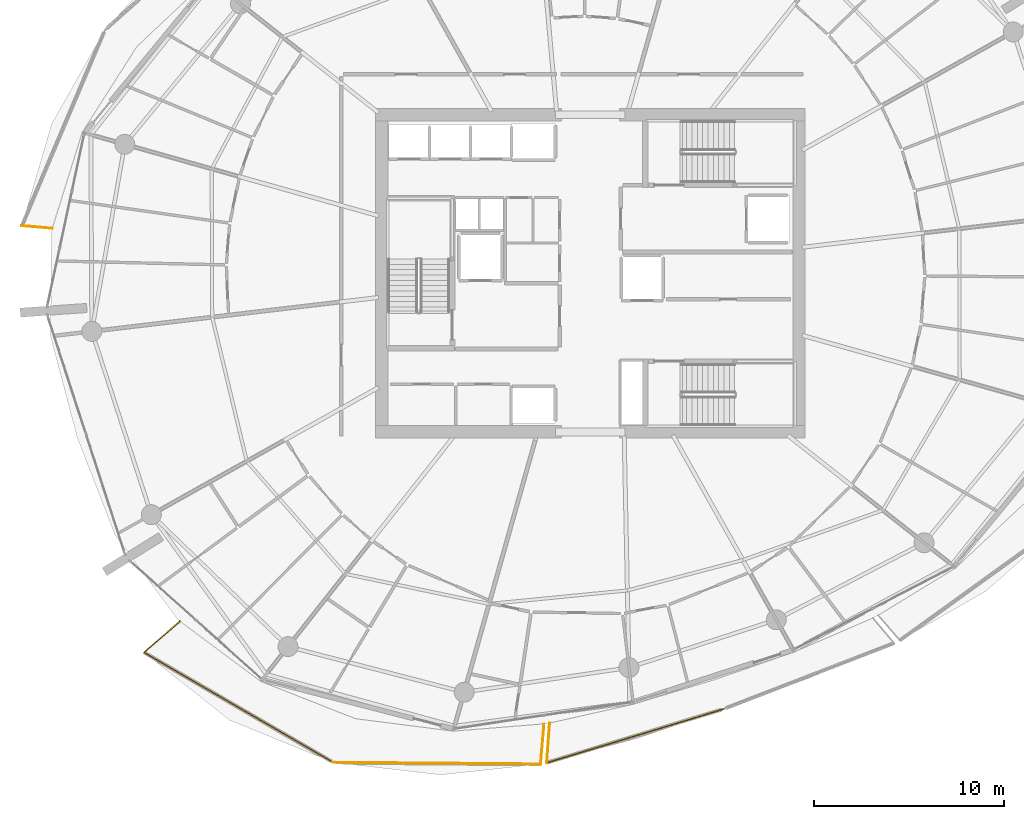
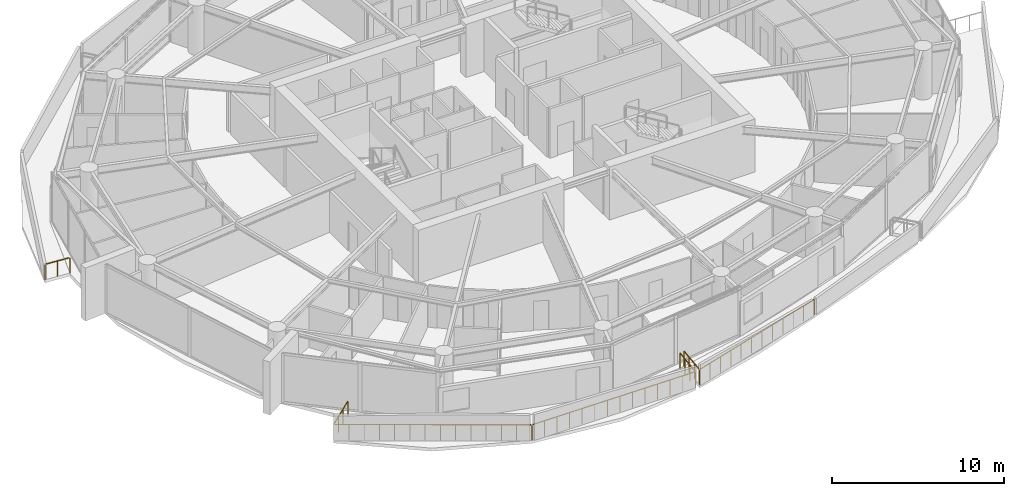
# One storey, part 17 of 21: 7 railings.
"""IFC4 building model written with IfcOpenShell, lengths in metres."""

from ifc_helpers import new_model, si_unit, direction, frame, origin, origin_2d, place, context, subcontext, project, spatial, rectangle, extrude, material, type_object, element, save


model = new_model("IFC4")

# Units and contexts
model_context = context("Model", 3, precision=1e-05, world=origin(), true_north=direction((0.0, 1.0)))
body_context = subcontext(model_context, "Body", "Model", "MODEL_VIEW")
ifc_project = project(units=[si_unit("LENGTHUNIT", "METRE"), si_unit("AREAUNIT", "SQUARE_METRE"), si_unit("VOLUMEUNIT", "CUBIC_METRE"), si_unit("PLANEANGLEUNIT", "RADIAN"), si_unit("MASSUNIT", "GRAM", prefix="KILO")], contexts=[model_context])

# Site, building, storey
site_placement = place(None, origin())
site = spatial("IfcSite", under=ifc_project, at=site_placement, CompositionType="ELEMENT")
building_placement = place(site_placement, origin())
building = spatial("IfcBuilding", under=site, at=building_placement, Name="Kazma Halo Residences", CompositionType="ELEMENT")
storey_placement = place(building_placement, frame((0.0, 0.0, 180.300048828125)))
storey = spatial("IfcBuildingStorey", under=building, at=storey_placement, Name="L45", CompositionType="ELEMENT", Elevation=180.300048828125)

# Railings
ifc_material = material(Name="Aluminium AW-6063 T6 Brushed Cap Rail", Category="aluminium")
railing_type = type_object("IfcRailingType", Name="RLG-BAL-CAP-1120", PredefinedType="BALUSTRADE", material=ifc_material)
railing_1_placement = place(storey_placement, frame((18.572509765625, 44.4970703125, 0.0)))
element("IfcRailing", 1, at=railing_1_placement, inside=storey, type_object=railing_type, Name="L45 NW wave balcony guard 4", PredefinedType="BALUSTRADE", context=body_context, shape_type="SweptSolid", body=[
    extrude(rectangle(XDim=0.050048828125, YDim=0.050048828125, at=origin_2d()), frame((0.04248046875, -0.003662109375, 1.09521484375), z_axis=(0.996416100688, -0.084586962884, 0.0), x_axis=(0.084586962884, 0.996416100688, 0.0)), (0.0, 0.0, 1.0), 1.513916015625),
    extrude(rectangle(XDim=0.0400390625, YDim=0.0400390625, at=origin_2d()), origin(), (0.0, 0.0, 1.0), 1.05810546875),
    extrude(rectangle(XDim=0.0400390625, YDim=0.0400390625, at=origin_2d()), frame((0.796630859375, -0.067626953125, 0.0)), (0.0, 0.0, 1.0), 1.05810546875),
    extrude(rectangle(XDim=0.0400390625, YDim=0.0400390625, at=origin_2d()), frame((1.59326171875, -0.13525390625, 0.0)), (0.0, 0.0, 1.0), 1.05810546875),
])
railing_2_placement = place(storey_placement, frame((26.869873046875, 23.728759765625, 0.0)))
element("IfcRailing", 2, at=railing_2_placement, inside=storey, type_object=railing_type, Name="L45 SW wave balcony guard 1", PredefinedType="BALUSTRADE", context=body_context, shape_type="SweptSolid", body=[
    extrude(rectangle(XDim=0.050048828125, YDim=0.050048828125, at=origin_2d()), frame((-0.0322265625, -0.02783203125, 1.09521484375), z_axis=(-0.756415545654, -0.654091371517, 0.0), x_axis=(0.654091371517, -0.756415545654, 0.0)), (0.0, 0.0, 1.0), 2.408203125),
    extrude(rectangle(XDim=0.0400390625, YDim=0.0400390625, at=origin_2d()), origin(), (0.0, 0.0, 1.0), 1.05810546875),
    extrude(rectangle(XDim=0.0400390625, YDim=0.0400390625, at=origin_2d()), frame((-0.628662109375, -0.543701171875, 0.0)), (0.0, 0.0, 1.0), 1.05810546875),
    extrude(rectangle(XDim=0.0400390625, YDim=0.0400390625, at=origin_2d()), frame((-1.25732421875, -1.087158203125, 0.0)), (0.0, 0.0, 1.0), 1.05810546875),
    extrude(rectangle(XDim=0.0400390625, YDim=0.0400390625, at=origin_2d()), frame((-1.885986328125, -1.630859375, 0.0)), (0.0, 0.0, 1.0), 1.05810546875),
])
railing_3_placement = place(storey_placement, frame((24.98388671875, 22.097900390625, 0.0)))
element("IfcRailing", 3, at=railing_3_placement, inside=storey, type_object=railing_type, Name="L45 SW wave balcony guard 2", PredefinedType="BALUSTRADE", context=body_context, shape_type="SweptSolid", body=[
    extrude(rectangle(XDim=0.050048828125, YDim=0.050048828125, at=origin_2d()), frame((0.036865234375, -0.021484375, 1.09521484375), z_axis=(0.864394010478, -0.502815070031, 0.0), x_axis=(0.502815070031, 0.864394010478, 0.0)), (0.0, 0.0, 1.0), 11.405029296875),
    extrude(rectangle(XDim=0.0400390625, YDim=0.0400390625, at=origin_2d()), origin(), (0.0, 0.0, 1.0), 1.05810546875),
    extrude(rectangle(XDim=0.0400390625, YDim=0.0400390625, at=origin_2d()), frame((0.763916015625, -0.4443359375, 0.0)), (0.0, 0.0, 1.0), 1.05810546875),
    extrude(rectangle(XDim=0.0400390625, YDim=0.0400390625, at=origin_2d()), frame((1.528076171875, -0.888916015625, 0.0)), (0.0, 0.0, 1.0), 1.05810546875),
    extrude(rectangle(XDim=0.0400390625, YDim=0.0400390625, at=origin_2d()), frame((2.2919921875, -1.333251953125, 0.0)), (0.0, 0.0, 1.0), 1.05810546875),
    extrude(rectangle(XDim=0.0400390625, YDim=0.0400390625, at=origin_2d()), frame((3.055908203125, -1.777587890625, 0.0)), (0.0, 0.0, 1.0), 1.05810546875),
    extrude(rectangle(XDim=0.0400390625, YDim=0.0400390625, at=origin_2d()), frame((3.820068359375, -2.22216796875, 0.0)), (0.0, 0.0, 1.0), 1.05810546875),
    extrude(rectangle(XDim=0.0400390625, YDim=0.0400390625, at=origin_2d()), frame((4.583984375, -2.66650390625, 0.0)), (0.0, 0.0, 1.0), 1.05810546875),
    extrude(rectangle(XDim=0.0400390625, YDim=0.0400390625, at=origin_2d()), frame((5.347900390625, -3.11083984375, 0.0)), (0.0, 0.0, 1.0), 1.05810546875),
    extrude(rectangle(XDim=0.0400390625, YDim=0.0400390625, at=origin_2d()), frame((6.11181640625, -3.55517578125, 0.0)), (0.0, 0.0, 1.0), 1.05810546875),
    extrude(rectangle(XDim=0.0400390625, YDim=0.0400390625, at=origin_2d()), frame((6.8759765625, -3.999755859375, 0.0)), (0.0, 0.0, 1.0), 1.05810546875),
    extrude(rectangle(XDim=0.0400390625, YDim=0.0400390625, at=origin_2d()), frame((7.639892578125, -4.444091796875, 0.0)), (0.0, 0.0, 1.0), 1.05810546875),
    extrude(rectangle(XDim=0.0400390625, YDim=0.0400390625, at=origin_2d()), frame((8.40380859375, -4.888427734375, 0.0)), (0.0, 0.0, 1.0), 1.05810546875),
    extrude(rectangle(XDim=0.0400390625, YDim=0.0400390625, at=origin_2d()), frame((9.16796875, -5.3330078125, 0.0)), (0.0, 0.0, 1.0), 1.05810546875),
    extrude(rectangle(XDim=0.0400390625, YDim=0.0400390625, at=origin_2d()), frame((9.931884765625, -5.77734375, 0.0)), (0.0, 0.0, 1.0), 1.05810546875),
])
railing_4_placement = place(storey_placement, frame((34.915771484375, 16.320556640625, 0.0)))
element("IfcRailing", 4, at=railing_4_placement, inside=storey, type_object=railing_type, Name="L45 SW wave balcony guard 3", PredefinedType="BALUSTRADE", context=body_context, shape_type="SweptSolid", body=[
    extrude(rectangle(XDim=0.050048828125, YDim=0.050048828125, at=origin_2d()), frame((0.04248046875, -0.000244140625, 1.09521484375), z_axis=(0.999967660867, -0.008042214935, 0.0), x_axis=(0.008042214935, 0.999967660867, 0.0)), (0.0, 0.0, 1.0), 10.813232421875),
    extrude(rectangle(XDim=0.0400390625, YDim=0.0400390625, at=origin_2d()), origin(), (0.0, 0.0, 1.0), 1.05810546875),
    extrude(rectangle(XDim=0.0400390625, YDim=0.0400390625, at=origin_2d()), frame((0.83837890625, -0.0068359375, 0.0)), (0.0, 0.0, 1.0), 1.05810546875),
    extrude(rectangle(XDim=0.0400390625, YDim=0.0400390625, at=origin_2d()), frame((1.676513671875, -0.013427734375, 0.0)), (0.0, 0.0, 1.0), 1.05810546875),
    extrude(rectangle(XDim=0.0400390625, YDim=0.0400390625, at=origin_2d()), frame((2.514892578125, -0.020263671875, 0.0)), (0.0, 0.0, 1.0), 1.05810546875),
    extrude(rectangle(XDim=0.0400390625, YDim=0.0400390625, at=origin_2d()), frame((3.353271484375, -0.02685546875, 0.0)), (0.0, 0.0, 1.0), 1.05810546875),
    extrude(rectangle(XDim=0.0400390625, YDim=0.0400390625, at=origin_2d()), frame((4.19140625, -0.03369140625, 0.0)), (0.0, 0.0, 1.0), 1.05810546875),
    extrude(rectangle(XDim=0.0400390625, YDim=0.0400390625, at=origin_2d()), frame((5.02978515625, -0.04052734375, 0.0)), (0.0, 0.0, 1.0), 1.05810546875),
    extrude(rectangle(XDim=0.0400390625, YDim=0.0400390625, at=origin_2d()), frame((5.8681640625, -0.047119140625, 0.0)), (0.0, 0.0, 1.0), 1.05810546875),
    extrude(rectangle(XDim=0.0400390625, YDim=0.0400390625, at=origin_2d()), frame((6.70654296875, -0.053955078125, 0.0)), (0.0, 0.0, 1.0), 1.05810546875),
    extrude(rectangle(XDim=0.0400390625, YDim=0.0400390625, at=origin_2d()), frame((7.544677734375, -0.060791015625, 0.0)), (0.0, 0.0, 1.0), 1.05810546875),
    extrude(rectangle(XDim=0.0400390625, YDim=0.0400390625, at=origin_2d()), frame((8.383056640625, -0.0673828125, 0.0)), (0.0, 0.0, 1.0), 1.05810546875),
    extrude(rectangle(XDim=0.0400390625, YDim=0.0400390625, at=origin_2d()), frame((9.221435546875, -0.07421875, 0.0)), (0.0, 0.0, 1.0), 1.05810546875),
    extrude(rectangle(XDim=0.0400390625, YDim=0.0400390625, at=origin_2d()), frame((10.0595703125, -0.080810546875, 0.0)), (0.0, 0.0, 1.0), 1.05810546875),
    extrude(rectangle(XDim=0.0400390625, YDim=0.0400390625, at=origin_2d()), frame((10.89794921875, -0.087646484375, 0.0)), (0.0, 0.0, 1.0), 1.05810546875),
])
railing_5_placement = place(storey_placement, frame((45.813720703125, 16.23291015625, 0.0)))
element("IfcRailing", 5, at=railing_5_placement, inside=storey, type_object=railing_type, Name="L45 SW wave balcony guard 4", PredefinedType="BALUSTRADE", context=body_context, shape_type="SweptSolid", body=[
    extrude(rectangle(XDim=0.050048828125, YDim=0.050048828125, at=origin_2d()), frame((0.003662109375, 0.04248046875, 1.09521484375), z_axis=(0.084580756862, 0.996416627505, 0.0), x_axis=(-0.996416627505, 0.084580756862, 0.0)), (0.0, 0.0, 1.0), 2.03369140625),
    extrude(rectangle(XDim=0.0400390625, YDim=0.0400390625, at=origin_2d()), origin(), (0.0, 0.0, 1.0), 1.05810546875),
    extrude(rectangle(XDim=0.0400390625, YDim=0.0400390625, at=origin_2d()), frame((0.059814453125, 0.70361328125, 0.0)), (0.0, 0.0, 1.0), 1.05810546875),
    extrude(rectangle(XDim=0.0400390625, YDim=0.0400390625, at=origin_2d()), frame((0.119384765625, 1.407470703125, 0.0)), (0.0, 0.0, 1.0), 1.05810546875),
    extrude(rectangle(XDim=0.0400390625, YDim=0.0400390625, at=origin_2d()), frame((0.17919921875, 2.111083984375, 0.0)), (0.0, 0.0, 1.0), 1.05810546875),
])
railing_6_placement = place(storey_placement, frame((46.286865234375, 18.387939453125, 0.0)))
element("IfcRailing", 6, at=railing_6_placement, inside=storey, type_object=railing_type, Name="L45 SSE wave balcony guard 1", PredefinedType="BALUSTRADE", context=body_context, shape_type="SweptSolid", body=[
    extrude(rectangle(XDim=0.050048828125, YDim=0.050048828125, at=origin_2d()), frame((-0.003173828125, -0.04248046875, 1.09521484375), z_axis=(-0.072480899171, -0.997369800653, 0.0), x_axis=(0.997369800653, -0.072480899171, 0.0)), (0.0, 0.0, 1.0), 2.010009765625),
    extrude(rectangle(XDim=0.0400390625, YDim=0.0400390625, at=origin_2d()), origin(), (0.0, 0.0, 1.0), 1.05810546875),
    extrude(rectangle(XDim=0.0400390625, YDim=0.0400390625, at=origin_2d()), frame((-0.050537109375, -0.696533203125, 0.0)), (0.0, 0.0, 1.0), 1.05810546875),
    extrude(rectangle(XDim=0.0400390625, YDim=0.0400390625, at=origin_2d()), frame((-0.101318359375, -1.39306640625, 0.0)), (0.0, 0.0, 1.0), 1.05810546875),
    extrude(rectangle(XDim=0.0400390625, YDim=0.0400390625, at=origin_2d()), frame((-0.15185546875, -2.089599609375, 0.0)), (0.0, 0.0, 1.0), 1.05810546875),
])
railing_7_placement = place(storey_placement, frame((46.135009765625, 16.29833984375, 0.0)))
element("IfcRailing", 7, at=railing_7_placement, inside=storey, type_object=railing_type, Name="L45 SSE wave balcony guard 2", PredefinedType="BALUSTRADE", context=body_context, shape_type="SweptSolid", body=[
    extrude(rectangle(XDim=0.050048828125, YDim=0.050048828125, at=origin_2d()), frame((0.040771484375, 0.012451171875, 1.09521484375), z_axis=(0.956821324416, 0.290676715859, 0.0), x_axis=(-0.290676715859, 0.956821324416, 0.0)), (0.0, 0.0, 1.0), 9.632568359375),
    extrude(rectangle(XDim=0.0400390625, YDim=0.0400390625, at=origin_2d()), origin(), (0.0, 0.0, 1.0), 1.05810546875),
    extrude(rectangle(XDim=0.0400390625, YDim=0.0400390625, at=origin_2d()), frame((0.84521484375, 0.2568359375, 0.0)), (0.0, 0.0, 1.0), 1.05810546875),
    extrude(rectangle(XDim=0.0400390625, YDim=0.0400390625, at=origin_2d()), frame((1.690673828125, 0.513671875, 0.0)), (0.0, 0.0, 1.0), 1.05810546875),
    extrude(rectangle(XDim=0.0400390625, YDim=0.0400390625, at=origin_2d()), frame((2.535888671875, 0.770263671875, 0.0)), (0.0, 0.0, 1.0), 1.05810546875),
    extrude(rectangle(XDim=0.0400390625, YDim=0.0400390625, at=origin_2d()), frame((3.381103515625, 1.027099609375, 0.0)), (0.0, 0.0, 1.0), 1.05810546875),
    extrude(rectangle(XDim=0.0400390625, YDim=0.0400390625, at=origin_2d()), frame((4.226318359375, 1.283935546875, 0.0)), (0.0, 0.0, 1.0), 1.05810546875),
    extrude(rectangle(XDim=0.0400390625, YDim=0.0400390625, at=origin_2d()), frame((5.07177734375, 1.540771484375, 0.0)), (0.0, 0.0, 1.0), 1.05810546875),
    extrude(rectangle(XDim=0.0400390625, YDim=0.0400390625, at=origin_2d()), frame((5.9169921875, 1.797607421875, 0.0)), (0.0, 0.0, 1.0), 1.05810546875),
    extrude(rectangle(XDim=0.0400390625, YDim=0.0400390625, at=origin_2d()), frame((6.76220703125, 2.054443359375, 0.0)), (0.0, 0.0, 1.0), 1.05810546875),
    extrude(rectangle(XDim=0.0400390625, YDim=0.0400390625, at=origin_2d()), frame((7.607421875, 2.31103515625, 0.0)), (0.0, 0.0, 1.0), 1.05810546875),
    extrude(rectangle(XDim=0.0400390625, YDim=0.0400390625, at=origin_2d()), frame((8.452880859375, 2.56787109375, 0.0)), (0.0, 0.0, 1.0), 1.05810546875),
    extrude(rectangle(XDim=0.0400390625, YDim=0.0400390625, at=origin_2d()), frame((9.298095703125, 2.82470703125, 0.0)), (0.0, 0.0, 1.0), 1.05810546875),
])

save(model, "model.ifc")
